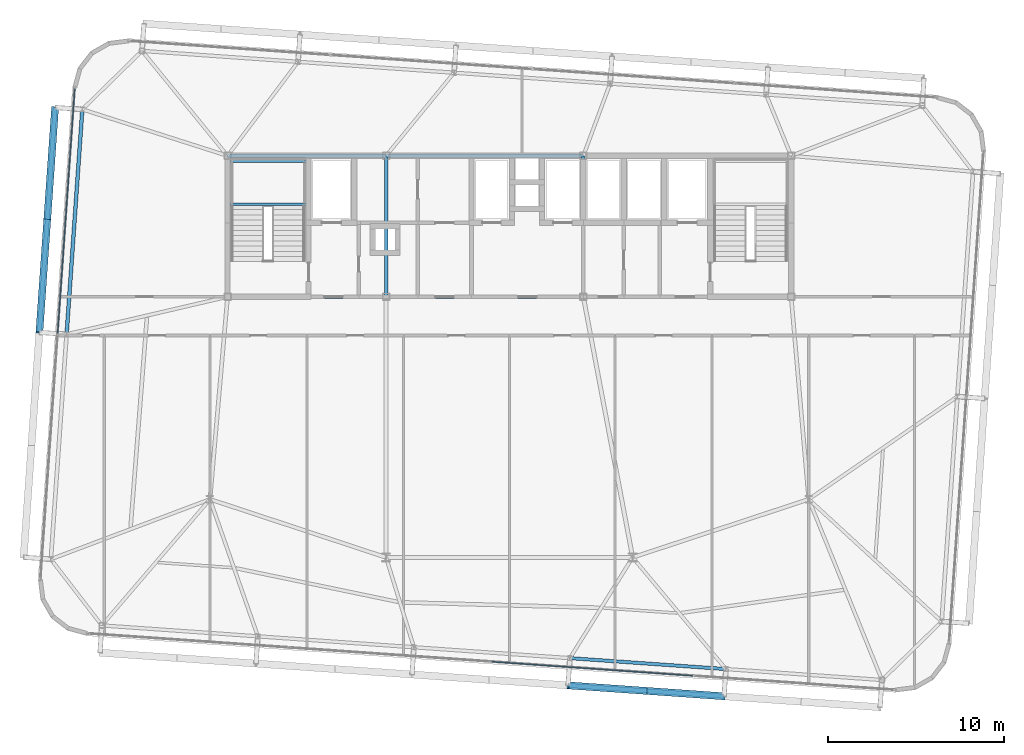
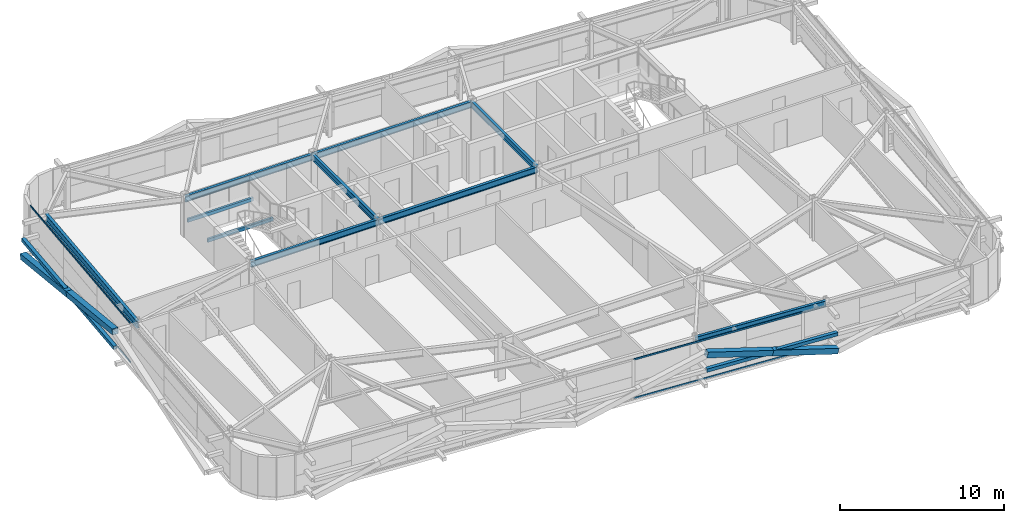
# One storey, part 12 of 39: 10 beams, 10 members, 2 elements without a shape of their own.
"""IFC4 building model written with IfcOpenShell, lengths in metres."""

from ifc_helpers import new_model, si_unit, direction, frame, origin, origin_2d, place, context, subcontext, project, spatial, hollow_rectangle, i_section, extrude, source, transform, mapped, material, layer, layer_set, material_profile, profile_set, type_object, element, aggregate, save


model = new_model("IFC4")

# Units and contexts
model_context = context("Model", 3, precision=1e-05, world=origin(), true_north=direction((0.0, 1.0)))
body_context = subcontext(model_context, "Body", "Model", "MODEL_VIEW")
ifc_project = project(units=[si_unit("LENGTHUNIT", "METRE"), si_unit("AREAUNIT", "SQUARE_METRE"), si_unit("VOLUMEUNIT", "CUBIC_METRE"), si_unit("PLANEANGLEUNIT", "RADIAN"), si_unit("MASSUNIT", "GRAM", prefix="KILO")], contexts=[model_context])

# Site, building, storey
site_placement = place(None, origin())
site = spatial("IfcSite", under=ifc_project, at=site_placement, CompositionType="ELEMENT")
building_placement = place(site_placement, origin())
building = spatial("IfcBuilding", under=site, at=building_placement, Name="Taldren Reach Tower", CompositionType="ELEMENT")
storey_placement = place(building_placement, frame((0.0, 0.0, 120.39990234375)))
storey = spatial("IfcBuildingStorey", under=building, at=storey_placement, Name="L36", CompositionType="ELEMENT", Elevation=120.39990234375)

# Beams
ifc_material_1 = material(Name="Steel Gr 350 (350PLUS)", Category="steel")
ifc_material_profile_1 = material_profile(ifc_material_1, i_section(OverallWidth=0.19091796875, OverallDepth=0.4599609375, WebThickness=0.010009765625, FlangeThickness=0.01611328125, at=origin_2d()), Name="460UB82.1")
ifc_profile_set_1 = profile_set([ifc_material_profile_1], Name="Steel Gr 350 (350PLUS)")
beam_type_1 = type_object("IfcBeamType", Name="BM-UB460A", PredefinedType="BEAM", material=ifc_profile_set_1)
shared_shape_1 = source(origin(), body_context, "Body", "SweptSolid", [
    extrude(i_section(OverallWidth=0.19091796875, OverallDepth=0.4599609375, WebThickness=0.010009765625, FlangeThickness=0.01611328125, at=origin_2d()), origin(), (0.0, 0.0, 1.0), 9.0),
])
for number, where, z_axis, x_axis, name in (
    (1, (19.0, 24.0, 2.7001953125), (1.0, 0.0, 0.0), (0.0, 1.0, 0.0), "Core-spine girder L36-SP01"),
    (2, (19.0, 32.0, 2.7001953125), (1.0, 0.0, 0.0), (0.0, 1.0, 0.0), "Core-spine girder L36-SP04"),
):
    element("IfcBeam", number, at=place(storey_placement, frame(where, z_axis=z_axis, x_axis=x_axis)), inside=storey, type_object=beam_type_1, Name=name, PredefinedType="BEAM", context=body_context, shape_type="MappedRepresentation", body=[
        mapped(shared_shape_1, transform((0.0, 0.0, 0.0), scale=1.0)),
    ])
shared_shape_2 = source(origin(), body_context, "Body", "SweptSolid", [
    extrude(i_section(OverallWidth=0.19091796875, OverallDepth=0.4599609375, WebThickness=0.010009765625, FlangeThickness=0.01611328125, at=origin_2d()), origin(), (0.0, 0.0, 1.0), 11.199951171875),
])
for number, where, z_axis, x_axis, name in (
    (3, (28.0, 24.0, 2.7001953125), (1.0, 0.0, 0.0), (0.0, 1.0, 0.0), "Core-spine girder L36-SP02"),
    (4, (28.0, 32.0, 2.7001953125), (1.0, 0.0, 0.0), (0.0, 1.0, 0.0), "Core-spine girder L36-SP05"),
):
    element("IfcBeam", number, at=place(storey_placement, frame(where, z_axis=z_axis, x_axis=x_axis)), inside=storey, type_object=beam_type_1, Name=name, PredefinedType="BEAM", context=body_context, shape_type="MappedRepresentation", body=[
        mapped(shared_shape_2, transform((0.0, 0.0, 0.0), scale=1.0)),
    ])
shared_shape_3 = source(origin(), body_context, "Body", "SweptSolid", [
    extrude(i_section(OverallWidth=0.19091796875, OverallDepth=0.4599609375, WebThickness=0.010009765625, FlangeThickness=0.01611328125, at=origin_2d()), origin(), (0.0, 0.0, 1.0), 8.0),
])
for number, where, z_axis, x_axis, name in (
    (5, (28.0, 24.0, 2.7001953125), (0.0, 1.0, 0.0), (-1.0, 0.0, 0.0), "Core-spine girder L36-SP07"),
    (6, (39.199951171875, 24.0, 2.7001953125), (0.0, 1.0, 0.0), (-1.0, 0.0, 0.0), "Core-spine girder L36-SP08"),
):
    element("IfcBeam", number, at=place(storey_placement, frame(where, z_axis=z_axis, x_axis=x_axis)), inside=storey, type_object=beam_type_1, Name=name, PredefinedType="BEAM", context=body_context, shape_type="MappedRepresentation", body=[
        mapped(shared_shape_3, transform((0.0, 0.0, 0.0), scale=1.0)),
    ])
ifc_material_profile_2 = material_profile(ifc_material_1, i_section(OverallWidth=0.18994140625, OverallDepth=0.4541015625, WebThickness=0.008544921875, FlangeThickness=0.0126953125, at=origin_2d()), Name="460UB67.1")
ifc_profile_set_2 = profile_set([ifc_material_profile_2], Name="Steel Gr 350 (350PLUS)")
beam_type_2 = type_object("IfcBeamType", Name="SP-UB460B", PredefinedType="SPANDREL", material=ifc_profile_set_2)
shared_shape_4 = source(origin(), body_context, "Body", "SweptSolid", [
    extrude(i_section(OverallWidth=0.18994140625, OverallDepth=0.4541015625, WebThickness=0.008544921875, FlangeThickness=0.0126953125, at=origin_2d()), origin(), (0.0, 0.0, 1.0), 8.880126953125),
])
beam_1_placement = place(storey_placement, frame((38.438720703125, 3.480224609375, 2.703125), z_axis=(0.997562566276, -0.06977769246, 0.0), x_axis=(0.06977769246, 0.997562566276, 0.0)))
element("IfcBeam", 7, at=beam_1_placement, inside=storey, type_object=beam_type_2, Name="Perimeter spandrel B3 S4-S5 L36", PredefinedType="SPANDREL", context=body_context, shape_type="MappedRepresentation", body=[
    mapped(shared_shape_4, transform((0.0, 0.0, 0.0), scale=1.0)),
])
ifc_material_profile_3 = material_profile(ifc_material_1, i_section(OverallWidth=0.208984375, OverallDepth=0.528076171875, WebThickness=0.009521484375, FlangeThickness=0.01318359375, at=origin_2d()), Name="530UB82.0")
ifc_profile_set_3 = profile_set([ifc_material_profile_3], Name="Steel Gr 350 (350PLUS)")
beam_type_3 = type_object("IfcBeamType", Name="SP-UB530B", PredefinedType="SPANDREL", material=ifc_profile_set_3)
shared_shape_5 = source(origin(), body_context, "Body", "SweptSolid", [
    extrude(i_section(OverallWidth=0.208984375, OverallDepth=0.528076171875, WebThickness=0.009521484375, FlangeThickness=0.01318359375, at=origin_2d()), origin(), (0.0, 0.0, 1.0), 12.800048828125),
])
beam_2_placement = place(storey_placement, frame((10.754638671875, 34.63720703125, 2.666015625), z_axis=(-0.069751876777, -0.9975643717, 0.0), x_axis=(0.9975643717, -0.069751876777, 0.0)))
element("IfcBeam", 8, at=beam_2_placement, inside=storey, type_object=beam_type_3, Name="Perimeter spandrel B3 W3-W2 L36", PredefinedType="SPANDREL", context=body_context, shape_type="MappedRepresentation", body=[
    mapped(shared_shape_5, transform((0.0, 0.0, 0.0), scale=1.0)),
])

# Members
ifc_material_2 = material(Name="Steel Gr 350 (C350L0)", Category="steel")
ifc_material_profile_4 = material_profile(ifc_material_2, hollow_rectangle(XDim=0.25, YDim=0.25, WallThickness=0.010009765625, at=origin_2d()), Name="250x250x10.0SHS")
ifc_profile_set_4 = profile_set([ifc_material_profile_4], Name="Steel Gr 350 (C350L0)")
member_type_1 = type_object("IfcMemberType", Name="MB-POST250", PredefinedType="POST", material=ifc_profile_set_4)
shared_shape_6 = source(origin(), body_context, "Body", "SweptSolid", [
    extrude(hollow_rectangle(XDim=0.25, YDim=0.25, WallThickness=0.010009765625, at=origin_2d()), origin(), (0.0, 0.0, 1.0), 8.880126953125),
])
member_1_placement = place(storey_placement, frame((38.33056640625, 1.933837890625, 1.43505859375), z_axis=(0.997564479639, -0.069750333063, 0.0), x_axis=(0.069750333063, 0.997564479639, 0.0)))
element("IfcMember", 9, at=member_1_placement, inside=storey, type_object=member_type_1, Name="Exoskeleton mid-height ring chord B3-S4 L36", PredefinedType="POST", context=body_context, shape_type="MappedRepresentation", body=[
    mapped(shared_shape_6, transform((0.0, 0.0, 0.0), scale=1.0)),
])
shared_shape_7 = source(origin(), body_context, "Body", "SweptSolid", [
    extrude(hollow_rectangle(XDim=0.25, YDim=0.25, WallThickness=0.010009765625, at=origin_2d()), origin(), (0.0, 0.0, 1.0), 12.800048828125),
])
member_2_placement = place(storey_placement, frame((8.3154296875, 21.9765625, 1.43505859375), z_axis=(0.069770857464, 0.997563044348, 0.0), x_axis=(-0.997563044348, 0.069770857464, 0.0)))
element("IfcMember", 10, at=member_2_placement, inside=storey, type_object=member_type_1, Name="Exoskeleton mid-height ring chord B3-W2 L36", PredefinedType="POST", context=body_context, shape_type="MappedRepresentation", body=[
    mapped(shared_shape_7, transform((0.0, 0.0, 0.0), scale=1.0)),
])
ifc_material_3 = material(Name="Steel Gr 450 (C450L0)", Category="steel")
ifc_material_profile_5 = material_profile(ifc_material_3, hollow_rectangle(XDim=0.409912109375, YDim=0.409912109375, WallThickness=0.01611328125, at=origin_2d()), Name="410x410x16.0SHS")
ifc_profile_set_5 = profile_set([ifc_material_profile_5], Name="Steel Gr 450 (C450L0)")
member_type_2 = type_object("IfcMemberType", Name="MB-EXO406", PredefinedType="BRACE", material=ifc_profile_set_5)
shared_shape_8 = source(origin(), body_context, "Body", "SweptSolid", [
    extrude(hollow_rectangle(XDim=0.409912109375, YDim=0.409912109375, WallThickness=0.01611328125, at=origin_2d()), origin(), (0.0, 0.0, 1.0), 4.603271484375),
])
for number, where, z_axis, x_axis, name in (
    (11, (47.18896484375, 1.314453125, 0.22021484375), (-0.962195820062, 0.067303852699, 0.263911718699), (-0.06977769246, -0.997562566276, 0.0), "Exoskeleton Diagrid Brace B3-S4 L36"),
    (12, (42.759765625, 1.624267578125, 1.43505859375), (-0.962185784239, 0.067250114343, 0.263962002434), (-0.069722973508, -0.997566392259, 0.0), "Exoskeleton Diagrid Brace B3-S4 L36"),
):
    element("IfcMember", number, at=place(storey_placement, frame(where, z_axis=z_axis, x_axis=x_axis)), inside=storey, type_object=member_type_2, Name=name, PredefinedType="BRACE", context=body_context, shape_type="MappedRepresentation", body=[
        mapped(shared_shape_8, transform((0.0, 0.0, 0.0), scale=1.0)),
    ])
shared_shape_9 = source(origin(), body_context, "Body", "SweptSolid", [
    extrude(hollow_rectangle(XDim=0.409912109375, YDim=0.409912109375, WallThickness=0.01611328125, at=origin_2d()), origin(), (0.0, 0.0, 1.0), 6.514404296875),
])
member_3_placement = place(storey_placement, frame((9.20849609375, 34.745361328125, 0.22021484375), z_axis=(-0.068545605936, -0.980063499638, 0.186486022492), x_axis=(0.997563137195, -0.069769529958, 0.0)))
element("IfcMember", 13, at=member_3_placement, inside=storey, type_object=member_type_2, Name="Exoskeleton Diagrid Brace B3-W2 L36", PredefinedType="BRACE", context=body_context, shape_type="MappedRepresentation", body=[
    mapped(shared_shape_9, transform((0.0, 0.0, 0.0), scale=1.0)),
])
shared_shape_10 = source(origin(), body_context, "Body", "SweptSolid", [
    extrude(hollow_rectangle(XDim=0.409912109375, YDim=0.409912109375, WallThickness=0.01611328125, at=origin_2d()), origin(), (0.0, 0.0, 1.0), 6.51416015625),
])
member_4_placement = place(storey_placement, frame((8.761962890625, 28.36083984375, 1.43505859375), z_axis=(-0.068547644544, -0.980055169399, 0.186529046964), x_axis=(0.997562951496, -0.069772185021, 0.0)))
element("IfcMember", 14, at=member_4_placement, inside=storey, type_object=member_type_2, Name="Exoskeleton Diagrid Brace B3-W2 L36", PredefinedType="BRACE", context=body_context, shape_type="MappedRepresentation", body=[
    mapped(shared_shape_10, transform((0.0, 0.0, 0.0), scale=1.0)),
])

# Curtain wall, members
ifc_material_4 = material(Name="Aluminium and Low-E Glass Unitised System", Category="aluminium")
ifc_layer = layer(ifc_material_4, 0.159912109375)
ifc_layer_set = layer_set([ifc_layer], Name="Aluminium and Low-E Glass Unitised System")
curtain_wall_type = type_object("IfcCurtainWallType", Name="CW-SYS-4", PredefinedType="NOTDEFINED", material=ifc_layer_set)
curtain_wall_1_placement = place(storey_placement, origin())
curtain_wall_1 = element("IfcCurtainWall", 15, at=curtain_wall_1_placement, inside=storey, type_object=curtain_wall_type, Name="Unitised curtain wall CW-L36-S", PredefinedType="NOTDEFINED")
ifc_material_5 = material(Name="Anodised Aluminium 6063-T6", Category="aluminium")
ifc_material_profile_6 = material_profile(ifc_material_5, hollow_rectangle(XDim=0.054931640625, YDim=0.1201171875, WallThickness=0.0029296875, at=origin_2d()), Name="ALU-120x55x3RHS")
ifc_profile_set_6 = profile_set([ifc_material_profile_6], Name="Anodised Aluminium 6063-T6")
member_type_3 = type_object("IfcMemberType", Name="CW-TRN-135", PredefinedType="USERDEFINED", material=ifc_profile_set_6)
shared_shape_11 = source(origin(), body_context, "Body", "SweptSolid", [
    extrude(hollow_rectangle(XDim=0.054931640625, YDim=0.1201171875, WallThickness=0.0029296875, at=origin_2d()), origin(), (0.0, 0.0, 1.0), 11.429931640625),
])
member_5_placement = place(storey_placement, frame((34.0087890625, 3.278564453125, 0.027587890625), z_axis=(0.997563740938, -0.069760897114, 0.0), x_axis=(0.069760897114, 0.997563740938, 0.0)))
member_5 = element("IfcMember", 16, at=member_5_placement, type_object=member_type_3, Name="CW-4 transom 3.1", ObjectType="TRANSOM", PredefinedType="USERDEFINED", context=body_context, shape_type="MappedRepresentation", body=[
    mapped(shared_shape_11, transform((0.0, 0.0, 0.0), scale=1.0)),
])
member_6_placement = place(storey_placement, frame((34.0087890625, 3.278564453125, 2.902587890625), z_axis=(0.997563740938, -0.069760897114, 0.0), x_axis=(0.069760897114, 0.997563740938, 0.0)))
member_6 = element("IfcMember", 17, at=member_6_placement, type_object=member_type_3, Name="CW-4 transom 3.2", ObjectType="TRANSOM", PredefinedType="USERDEFINED", context=body_context, shape_type="MappedRepresentation", body=[
    mapped(shared_shape_11, transform((0.0, 0.0, 0.0), scale=1.0)),
])
aggregate(curtain_wall_1, [member_5, member_6])

curtain_wall_2_placement = place(storey_placement, origin())
curtain_wall_2 = element("IfcCurtainWall", 18, at=curtain_wall_2_placement, inside=storey, type_object=curtain_wall_type, Name="Unitised curtain wall CW-L36-W", PredefinedType="NOTDEFINED")
shared_shape_12 = source(origin(), body_context, "Body", "SweptSolid", [
    extrude(hollow_rectangle(XDim=0.054931640625, YDim=0.1201171875, WallThickness=0.0029296875, at=origin_2d()), origin(), (0.0, 0.0, 1.0), 13.895263671875),
])
member_7_placement = place(storey_placement, frame((10.32470703125, 35.800048828125, 0.027587890625), z_axis=(-0.069753594456, -0.997564251595, 0.0), x_axis=(0.997564251595, -0.069753594456, 0.0)))
member_7 = element("IfcMember", 19, at=member_7_placement, type_object=member_type_3, Name="CW-4 transom 1.1", ObjectType="TRANSOM", PredefinedType="USERDEFINED", context=body_context, shape_type="MappedRepresentation", body=[
    mapped(shared_shape_12, transform((0.0, 0.0, 0.0), scale=1.0)),
])
member_8_placement = place(storey_placement, frame((10.32470703125, 35.800048828125, 2.902587890625), z_axis=(-0.069753594456, -0.997564251595, 0.0), x_axis=(0.997564251595, -0.069753594456, 0.0)))
member_8 = element("IfcMember", 20, at=member_8_placement, type_object=member_type_3, Name="CW-4 transom 1.2", ObjectType="TRANSOM", PredefinedType="USERDEFINED", context=body_context, shape_type="MappedRepresentation", body=[
    mapped(shared_shape_12, transform((0.0, 0.0, 0.0), scale=1.0)),
])
aggregate(curtain_wall_2, [member_7, member_8])

# Beams
ifc_material_profile_7 = material_profile(ifc_material_2, hollow_rectangle(XDim=0.14990234375, YDim=0.25, WallThickness=0.009033203125, at=origin_2d()), Name="250x150x9.0RHS")
ifc_profile_set_7 = profile_set([ifc_material_profile_7], Name="Steel Gr 350 (C350L0)")
beam_type_4 = type_object("IfcBeamType", Name="LN-RHS250", PredefinedType="LINTEL", material=ifc_profile_set_7)
shared_shape_13 = source(origin(), body_context, "Body", "SweptSolid", [
    extrude(hollow_rectangle(XDim=0.14990234375, YDim=0.25, WallThickness=0.009033203125, at=origin_2d()), origin(), (0.0, 0.0, 1.0), 4.60009765625),
])
for number, where, z_axis, x_axis, name in (
    (21, (19.0, 29.2548828125, 1.27001953125), (1.0, 0.0, 0.0), (0.0, 1.0, 0.0), "Stair half-landing support beam ST1-L36-1"),
    (22, (19.0, 31.699951171875, 1.27001953125), (1.0, 0.0, 0.0), (0.0, 1.0, 0.0), "Stair half-landing support beam ST1-L36-2"),
):
    element("IfcBeam", number, at=place(storey_placement, frame(where, z_axis=z_axis, x_axis=x_axis)), inside=storey, type_object=beam_type_4, Name=name, PredefinedType="LINTEL", context=body_context, shape_type="MappedRepresentation", body=[
        mapped(shared_shape_13, transform((0.0, 0.0, 0.0), scale=1.0)),
    ])

save(model, "model.ifc")
